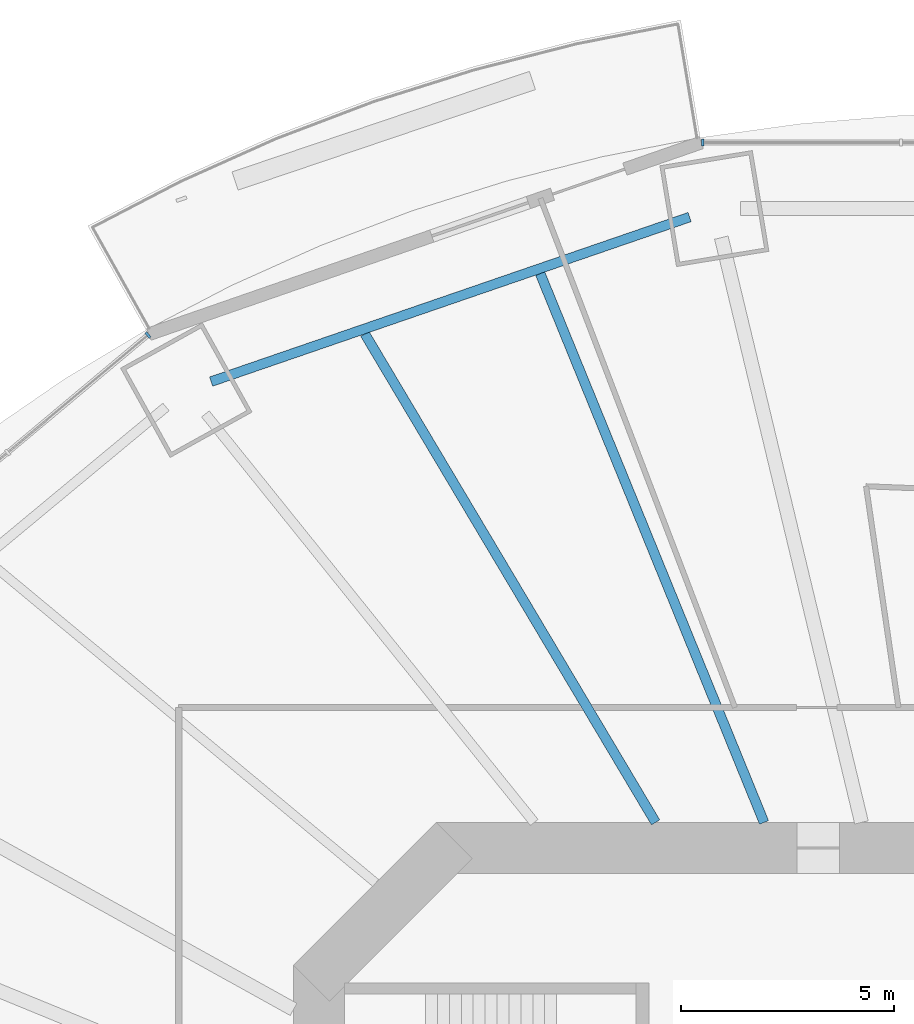
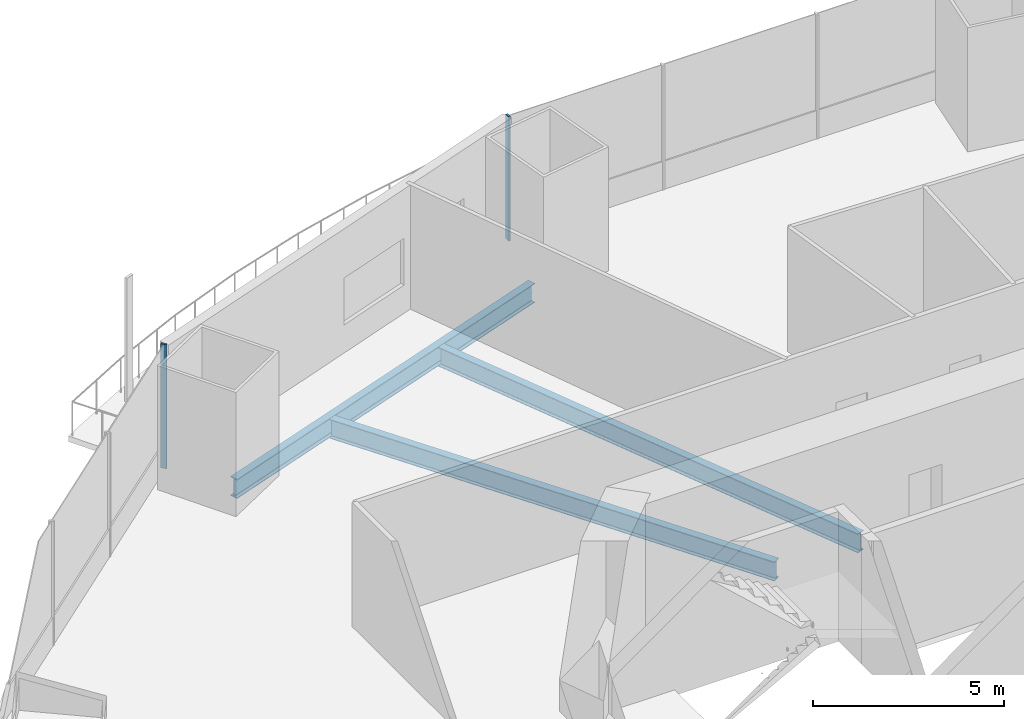
# One storey, part 7 of 23: 3 beams, 2 members, 2 elements without a shape of their own.
"""IFC4 building model written with IfcOpenShell, lengths in metres."""

from ifc_helpers import new_model, si_unit, direction, frame, origin, origin_2d, place, context, subcontext, project, spatial, rectangle, i_section, extrude, material, material_profile, profile_set, type_object, element, aggregate, save


model = new_model("IFC4")

# Units and contexts
model_context = context("Model", 3, precision=1e-05, world=origin(), true_north=direction((0.0, 1.0)))
body_context = subcontext(model_context, "Body", "Model", "MODEL_VIEW")
ifc_project = project(units=[si_unit("LENGTHUNIT", "METRE"), si_unit("AREAUNIT", "SQUARE_METRE"), si_unit("VOLUMEUNIT", "CUBIC_METRE"), si_unit("PLANEANGLEUNIT", "RADIAN"), si_unit("MASSUNIT", "GRAM", prefix="KILO")], contexts=[model_context])

# Site, building, storey
site_placement = place(None, origin())
site = spatial("IfcSite", under=ifc_project, at=site_placement, CompositionType="ELEMENT")
building_placement = place(site_placement, origin())
building = spatial("IfcBuilding", under=site, at=building_placement, Name="Marenthal Gate Tower", CompositionType="ELEMENT")
storey_placement = place(building_placement, frame((0.0, 0.0, 66.199951171875)))
storey = spatial("IfcBuildingStorey", under=building, at=storey_placement, Name="L12", CompositionType="ELEMENT", Elevation=66.199951171875)

# Curtain wall, member
ifc_material_1 = material(Name="Aluminium and glass", Category="aluminium")
curtain_wall_type = type_object("IfcCurtainWallType", Name="Curtain wall typical low", PredefinedType="NOTDEFINED", material=ifc_material_1)
curtain_wall_1_placement = place(storey_placement, origin())
curtain_wall_1 = element("IfcCurtainWall", 1, at=curtain_wall_1_placement, inside=storey, type_object=curtain_wall_type, Name="Curtain wall L12 bay 4", PredefinedType="NOTDEFINED")
ifc_material_2 = material(Name="Aluminium", Category="aluminium")
ifc_material_profile_1 = material_profile(ifc_material_2, rectangle(XDim=0.159912109375, YDim=0.06005859375, at=origin_2d()), Name="60x160 aluminium mullion")
ifc_profile_set_1 = profile_set([ifc_material_profile_1], Name="Aluminium")
member_type = type_object("IfcMemberType", Name="Mullion 60x160 typical low", PredefinedType="MULLION", material=ifc_profile_set_1)
member_1_placement = place(storey_placement, frame((-6.9921875, 29.569580078125, 0.0), z_axis=(0.0, 0.0, 1.0), x_axis=(0.0, -1.0, 0.0)))
member_1 = element("IfcMember", 2, at=member_1_placement, type_object=member_type, Name="Mullion L12 bay 4.4", PredefinedType="MULLION", context=body_context, shape_type="SweptSolid", body=[
    extrude(rectangle(XDim=0.159912109375, YDim=0.06005859375, at=origin_2d()), origin(), (0.0, 0.0, 1.0), 3.969970703125),
])
aggregate(curtain_wall_1, [member_1])

curtain_wall_2_placement = place(storey_placement, origin())
curtain_wall_2 = element("IfcCurtainWall", 3, at=curtain_wall_2_placement, inside=storey, type_object=curtain_wall_type, Name="Curtain wall L12 bay 6", PredefinedType="NOTDEFINED")
member_2_placement = place(storey_placement, frame((-20.020751953125, 25.048828125, 0.0), z_axis=(0.0, 0.0, 1.0), x_axis=(0.642111737517, -0.766611059497, 0.0)))
member_2 = element("IfcMember", 4, at=member_2_placement, type_object=member_type, Name="Mullion L12 bay 6.1", PredefinedType="MULLION", context=body_context, shape_type="SweptSolid", body=[
    extrude(rectangle(XDim=0.159912109375, YDim=0.06005859375, at=origin_2d()), origin(), (0.0, 0.0, 1.0), 3.969970703125),
])
aggregate(curtain_wall_2, [member_2])

# Beams
ifc_material_3 = material(Name="Steel S355", Category="steel")
ifc_material_profile_2 = material_profile(ifc_material_3, i_section(OverallWidth=0.22900390625, OverallDepth=0.612060546875, WebThickness=0.011962890625, FlangeThickness=0.01953125, FilletRadius=0.0126953125, at=origin_2d()), Name="W610X125")
ifc_profile_set_2 = profile_set([ifc_material_profile_2], Name="Steel S355")
beam_type = type_object("IfcBeamType", Name="W610X125 beam", PredefinedType="BEAM", material=ifc_profile_set_2)
beam_1_placement = place(storey_placement, frame((-10.805908203125, 26.491943359375, -0.48583984375), z_axis=(0.377685635209, -0.925933885845, 0.0), x_axis=(0.925933885845, 0.377685635209, 0.0)))
element("IfcBeam", 5, at=beam_1_placement, inside=storey, type_object=beam_type, Name="BM-L12-23", PredefinedType="BEAM", context=body_context, shape_type="SweptSolid", body=[
    extrude(i_section(OverallWidth=0.22900390625, OverallDepth=0.612060546875, WebThickness=0.011962890625, FlangeThickness=0.01953125, FilletRadius=0.0126953125, at=origin_2d()), origin(), (0.0, 0.0, 1.0), 13.923095703125),
])
beam_2_placement = place(storey_placement, frame((-14.9248046875, 25.07568359375, -0.48583984375), z_axis=(0.51146264721, -0.859305510578, 0.0), x_axis=(0.859305510578, 0.51146264721, 0.0)))
element("IfcBeam", 6, at=beam_2_placement, inside=storey, type_object=beam_type, Name="BM-L12-24", PredefinedType="BEAM", context=body_context, shape_type="SweptSolid", body=[
    extrude(i_section(OverallWidth=0.22900390625, OverallDepth=0.612060546875, WebThickness=0.011962890625, FlangeThickness=0.01953125, FilletRadius=0.0126953125, at=origin_2d()), origin(), (0.0, 0.0, 1.0), 13.3544921875),
])
beam_3_placement = place(storey_placement, frame((-7.296142578125, 27.81982421875, -0.48583984375), z_axis=(-0.945656601656, -0.325167021304, 0.0), x_axis=(0.325167021304, -0.945656601656, 0.0)))
element("IfcBeam", 7, at=beam_3_placement, inside=storey, type_object=beam_type, Name="BM-L12-45", PredefinedType="BEAM", context=body_context, shape_type="SweptSolid", body=[
    extrude(i_section(OverallWidth=0.22900390625, OverallDepth=0.612060546875, WebThickness=0.011962890625, FlangeThickness=0.01953125, FilletRadius=0.0126953125, at=origin_2d()), origin(), (0.0, 0.0, 1.0), 11.88623046875),
])

save(model, "model.ifc")
